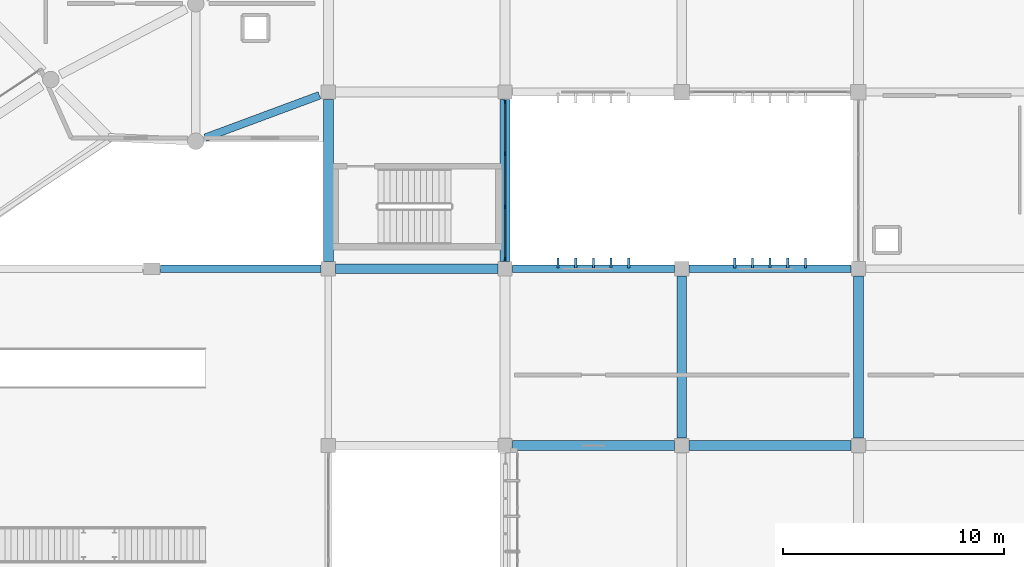
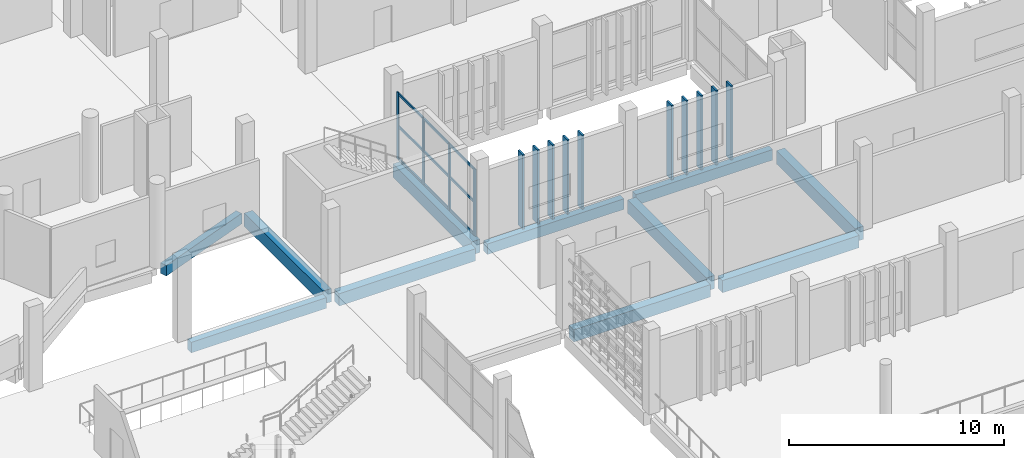
# One storey, part 23 of 106: 23 members, 11 beams, 1 element without a shape of its own.
"""IFC4 building model written with IfcOpenShell, lengths in metres."""

import ifcopenshell
import ifcopenshell.guid

model = None  # the IFC model being written
_history = None  # IfcOwnerHistory: only IFC2X3 demands one
_inside = {}  # id of a spatial element -> (the spatial element, [elements in it])
_under = {}  # id of a project, library or spatial element -> (it, [spatial elements below it])
_declared = {}  # id of a project -> (the project, [libraries it declares])
_typed = {}  # id of a type object -> (the type object, [elements of that type])
_made_of = {}  # id of a material, layer set ... -> (it, [elements and type objects made of it])


def new_model(schema):
    """Start an empty IFC model of exactly this schema.

    Asked for "IFC4X3", IfcOpenShell would pick the latest addendum, in which some entities
    have other attributes; the version numbers below select the first issue.
    IFC2X3 requires an IfcOwnerHistory on every rooted entity: one is made here for all.
    """
    global model, _history
    if schema == "IFC4X3":
        model = ifcopenshell.file(schema_version=(4, 3, 0, 0))
    else:
        model = ifcopenshell.file(schema=schema)
    _inside.clear()
    _under.clear()
    _declared.clear()
    _typed.clear()
    _made_of.clear()
    _history = None
    if model.schema == "IFC2X3":
        org = make("IfcOrganization", Name="unknown")
        user = make(
            "IfcPersonAndOrganization",
            ThePerson=make("IfcPerson", FamilyName="unknown"),
            TheOrganization=org,
        )
        app = make(
            "IfcApplication",
            ApplicationDeveloper=org,
            Version="unknown",
            ApplicationFullName="unknown",
            ApplicationIdentifier="unknown",
        )
        _history = make(
            "IfcOwnerHistory",
            OwningUser=user,
            OwningApplication=app,
            ChangeAction="ADDED",
            CreationDate=0,
        )
    return model


def make(cls, **values):
    """One entity of the class cls with the attributes given. An attribute that is None is left unset."""
    return model.create_entity(
        cls, **{name: value for name, value in values.items() if value is not None}
    )


def rooted(cls, **values):
    """An entity with a GlobalId (a new one), such as an element, a storey or a relation."""
    return make(cls, GlobalId=ifcopenshell.guid.new(), OwnerHistory=_history, **values)


def si_unit(unit_type, name, prefix=None):
    """IfcSIUnit, for example si_unit("LENGTHUNIT", "METRE", prefix="MILLI")."""
    return make("IfcSIUnit", UnitType=unit_type, Prefix=prefix, Name=name)


def assignment(units):
    """IfcUnitAssignment: the units of a project."""
    return None if units is None else make("IfcUnitAssignment", Units=units)


def point(xyz):
    """IfcCartesianPoint."""
    return None if xyz is None else make("IfcCartesianPoint", Coordinates=xyz)


def direction(xyz):
    """IfcDirection."""
    return None if xyz is None else make("IfcDirection", DirectionRatios=xyz)


def frame(location, z_axis=None, x_axis=None):
    """IfcAxis2Placement3D, a coordinate frame: its origin and axes. An axis left out is left unset."""
    return make(
        "IfcAxis2Placement3D",
        Location=point(location),
        Axis=direction(z_axis),
        RefDirection=direction(x_axis),
    )


def frame_2d(location, x_axis=None):
    """IfcAxis2Placement2D, a coordinate frame in the plane: its origin and x axis."""
    return make(
        "IfcAxis2Placement2D", Location=point(location), RefDirection=direction(x_axis)
    )


def origin():
    """The frame at (0, 0, 0) with its axes left unset."""
    return frame((0.0, 0.0, 0.0))


def origin_2d():
    """The frame at (0, 0) in the plane with its x axis left unset."""
    return frame_2d((0.0, 0.0))


def place(relative_to, where):
    """IfcLocalPlacement: puts the frame where relative to a parent placement (None: the world)."""
    return make(
        "IfcLocalPlacement", PlacementRelTo=relative_to, RelativePlacement=where
    )


def context(
    kind, dimensions, precision=None, world=None, true_north=None, identifier=None
):
    """IfcGeometricRepresentationContext, for example the 3D "Model" context."""
    return make(
        "IfcGeometricRepresentationContext",
        ContextIdentifier=identifier,
        ContextType=kind,
        CoordinateSpaceDimension=dimensions,
        Precision=precision,
        WorldCoordinateSystem=world,
        TrueNorth=true_north,
    )


def subcontext(parent, identifier, kind, view, scale=None):
    """IfcGeometricRepresentationSubContext, for example "Body" below "Model"."""
    return make(
        "IfcGeometricRepresentationSubContext",
        ContextIdentifier=identifier,
        ContextType=kind,
        ParentContext=parent,
        TargetScale=scale,
        TargetView=view,
    )


def project(units=None, contexts=None):
    """IfcProject with its units and contexts."""
    return rooted(
        "IfcProject",
        Name="project",
        RepresentationContexts=contexts,
        UnitsInContext=assignment(units),
    )


def spatial(cls, under=None, at=None, **own):
    """A site, building, storey or space (cls), placed at a placement, below another one or the project."""
    s = rooted(cls, ObjectPlacement=at, **own)
    if under is not None:
        _under.setdefault(under.id(), (under, []))[1].append(s)
    return s


def profile(cls, at=None, kind="AREA", **sizes):
    """A parametric profile (cls). Its sizes go by their IFC names, for example OverallWidth=200.0."""
    return make(cls, ProfileType=kind, Position=at, **sizes)


def rectangle(**sizes):
    """IfcRectangleProfileDef."""
    return profile("IfcRectangleProfileDef", **sizes)


def extrude(swept, where, along, depth):
    """IfcExtrudedAreaSolid: the profile swept, set in the frame where, extruded along a direction by depth."""
    return make(
        "IfcExtrudedAreaSolid",
        SweptArea=swept,
        Position=where,
        ExtrudedDirection=direction(along),
        Depth=depth,
    )


def shape(context_of_items, identifier, shape_type, items):
    """IfcShapeRepresentation: the items that make up one representation, for example the "Body"."""
    return make(
        "IfcShapeRepresentation",
        ContextOfItems=context_of_items,
        RepresentationIdentifier=identifier,
        RepresentationType=shape_type,
        Items=items,
    )


def material(Name=None, Category=None):
    """IfcMaterial."""
    return make("IfcMaterial", Name=Name, Category=Category)


def layer(
    of_material, thickness, ventilated=None, Name=None, Category=None, Priority=None
):
    """IfcMaterialLayer: one layer of a wall or slab, of a material (None: an air gap)."""
    return make(
        "IfcMaterialLayer",
        Material=of_material,
        LayerThickness=thickness,
        IsVentilated=ventilated,
        Name=Name,
        Category=Category,
        Priority=Priority,
    )


def layer_set(layers, Name=None):
    """IfcMaterialLayerSet."""
    return make("IfcMaterialLayerSet", MaterialLayers=layers, LayerSetName=Name)


def material_profile(
    of_material, cross_section, Name=None, Category=None, Priority=None
):
    """IfcMaterialProfile: a cross section and its material."""
    return make(
        "IfcMaterialProfile",
        Name=Name,
        Material=of_material,
        Profile=cross_section,
        Priority=Priority,
        Category=Category,
    )


def profile_set(profiles, Name=None, composite=None):
    """IfcMaterialProfileSet."""
    return make(
        "IfcMaterialProfileSet",
        Name=Name,
        MaterialProfiles=profiles,
        CompositeProfile=composite,
    )


def made_of(thing, what):
    """Note that an element or type object is made of a material, layer set ...; save() writes the relation."""
    if what is not None:
        _made_of.setdefault(what.id(), (what, []))[1].append(thing)
    return thing


def type_object(cls, material=None, **own):
    """A type object (cls), such as IfcWallType, which elements share."""
    return made_of(rooted(cls, **own), material)


def element(
    cls,
    number,
    at=None,
    inside=None,
    cuts=None,
    type_object=None,
    material=None,
    context=None,
    identifier="Body",
    shape_type=None,
    held_by="IfcProductDefinitionShape",
    body=None,
    shapes=None,
    **own,
):
    """One element of the class cls, such as IfcWall. Its Tag is "e" and its number.

    at: its placement. inside: the storey or other place that contains it. cuts: it is an
    opening in that element (IfcRelVoidsElement). A single representation is given by context,
    identifier, shape_type and body (its items); several are given by shapes. held_by: the class
    of the entity that holds the representations. save() writes the other relations.
    """
    e = rooted(cls, Tag="e%d" % number, ObjectPlacement=at, **own)
    if body is not None:
        shapes = [shape(context, identifier, shape_type, body)]
    if shapes is not None:
        e.Representation = make(held_by, Representations=shapes)
    if inside is not None:
        _inside.setdefault(inside.id(), (inside, []))[1].append(e)
    if cuts is not None:
        rooted(
            "IfcRelVoidsElement", RelatingBuildingElement=cuts, RelatedOpeningElement=e
        )
    if type_object is not None:
        _typed.setdefault(type_object.id(), (type_object, []))[1].append(e)
    return made_of(e, material)


def aggregate(whole, parts):
    """IfcRelAggregates: a whole, such as a stair, and the parts it consists of."""
    return rooted("IfcRelAggregates", RelatingObject=whole, RelatedObjects=parts)


def save(model, path):
    """Write the relations noted so far, then the file.

    IfcRelAggregates (storeys below a building ...), IfcRelContainedInSpatialStructure (elements
    in a storey), IfcRelDefinesByType, IfcRelAssociatesMaterial and IfcRelDeclares: one each for
    every whole, place, type object, material and project.
    """
    for whole, parts in _under.values():
        aggregate(whole, parts)
    for where, things in _inside.values():
        rooted(
            "IfcRelContainedInSpatialStructure",
            RelatedElements=things,
            RelatingStructure=where,
        )
    for kind, things in _typed.values():
        rooted("IfcRelDefinesByType", RelatedObjects=things, RelatingType=kind)
    for what, things in _made_of.values():
        rooted("IfcRelAssociatesMaterial", RelatedObjects=things, RelatingMaterial=what)
    for by, libraries in _declared.values():
        rooted("IfcRelDeclares", RelatingContext=by, RelatedDefinitions=libraries)
    model.write(path)


model = new_model("IFC4")

# Units and contexts
model_context = context("Model", 3, precision=1e-05, world=origin(), true_north=direction((0.0, 1.0)))
body_context = subcontext(model_context, "Body", "Model", "MODEL_VIEW")
ifc_project = project(units=[si_unit("LENGTHUNIT", "METRE"), si_unit("AREAUNIT", "SQUARE_METRE"), si_unit("VOLUMEUNIT", "CUBIC_METRE"), si_unit("PLANEANGLEUNIT", "RADIAN"), si_unit("MASSUNIT", "GRAM", prefix="KILO")], contexts=[model_context])

# Site, building, storey
site_placement = place(None, origin())
site = spatial("IfcSite", under=ifc_project, at=site_placement, CompositionType="ELEMENT")
building_placement = place(site_placement, origin())
building = spatial("IfcBuilding", under=site, at=building_placement, Name="Jelvoka-Kovrelna Polytechnic", CompositionType="ELEMENT")
storey_placement = place(building_placement, frame((0.0, 0.0, 4.800048828125)))
storey = spatial("IfcBuildingStorey", under=building, at=storey_placement, Name="L02", CompositionType="ELEMENT", Elevation=4.800048828125)

# Beams
ifc_material_1 = material(Name="Concrete C40/50", Category="concrete")
ifc_material_profile_1 = material_profile(ifc_material_1, rectangle(XDim=0.449951171875, YDim=0.699951171875, at=origin_2d()), Name="RC 450x700")
ifc_profile_set_1 = profile_set([ifc_material_profile_1], Name="Concrete C40/50")
beam_type_1 = type_object("IfcBeamType", Name="Beam_RC_450x700", PredefinedType="BEAM", material=ifc_profile_set_1)
for number, where, z_axis, x_axis, name in (
    (1, (56.330078125, 16.0, -0.614990234375), (1.0, 0.0, 0.0), (0.0, 1.0, 0.0), "L02 beam 0621"),
    (2, (64.330078125, 16.0, -0.614990234375), (1.0, 0.0, 0.0), (0.0, 1.0, 0.0), "L02 beam 0622"),
    (3, (48.330078125, 24.0, -0.614990234375), (1.0, 0.0, 0.0), (0.0, 1.0, 0.0), "L02 beam 0840"),
):
    element("IfcBeam", number, at=place(storey_placement, frame(where, z_axis=z_axis, x_axis=x_axis)), inside=storey, type_object=beam_type_1, Name=name, PredefinedType="BEAM", context=body_context, shape_type="SweptSolid", body=[
        extrude(rectangle(XDim=0.449951171875, YDim=0.699951171875, at=origin_2d()), origin(), (0.0, 0.0, 1.0), 7.33984375),
    ])
ifc_material_2 = material(Name="Concrete C40/50", Category="concrete")
ifc_material_profile_2 = material_profile(ifc_material_2, rectangle(XDim=0.449951171875, YDim=0.75, at=origin_2d()), Name="RC 450x750")
ifc_profile_set_2 = profile_set([ifc_material_profile_2], Name="Concrete C40/50")
beam_type_2 = type_object("IfcBeamType", Name="Beam_RC_450x750", PredefinedType="BEAM", material=ifc_profile_set_2)
for number, where, z_axis, x_axis, name in (
    (4, (64.0, 16.330078125, -0.64013671875), (0.0, 1.0, 0.0), (-1.0, 0.0, 0.0), "L02 beam 0637"),
    (5, (72.0, 16.330078125, -0.64013671875), (0.0, 1.0, 0.0), (-1.0, 0.0, 0.0), "L02 beam 0639"),
    (6, (48.0, 24.330078125, -0.64013671875), (0.0, 1.0, 0.0), (-1.0, 0.0, 0.0), "L02 beam 0847"),
    (7, (56.0, 24.330078125, -0.64013671875), (0.0, 1.0, 0.0), (-1.0, 0.0, 0.0), "L02 beam 0853"),
):
    element("IfcBeam", number, at=place(storey_placement, frame(where, z_axis=z_axis, x_axis=x_axis)), inside=storey, type_object=beam_type_2, Name=name, PredefinedType="BEAM", context=body_context, shape_type="SweptSolid", body=[
        extrude(rectangle(XDim=0.449951171875, YDim=0.75, at=origin_2d()), origin(), (0.0, 0.0, 1.0), 7.33984375),
    ])

# Members
ifc_material_3 = material(Name="Precast concrete C40/50", Category="concrete")
ifc_material_profile_3 = material_profile(ifc_material_3, rectangle(XDim=0.10009765625, YDim=0.449951171875, at=origin_2d()), Name="PC 100x450")
ifc_profile_set_3 = profile_set([ifc_material_profile_3], Name="Precast concrete C40/50")
member_type_1 = type_object("IfcMemberType", Name="Louvre_Fin_100x450", PredefinedType="USERDEFINED", material=ifc_profile_set_3)
for number, where, z_axis, x_axis, name in (
    (8, (58.39990234375, 24.264892578125, -0.27001953125), (0.0, 0.0, 1.0), (1.0, 0.0, 0.0), "L02 B1 north vertical solar louvre fin 0111"),
    (9, (59.199951171875, 24.264892578125, -0.27001953125), (0.0, 0.0, 1.0), (1.0, 0.0, 0.0), "L02 B1 north vertical solar louvre fin 0112"),
    (10, (60.0, 24.264892578125, -0.27001953125), (0.0, 0.0, 1.0), (1.0, 0.0, 0.0), "L02 B1 north vertical solar louvre fin 0113"),
    (11, (60.800048828125, 24.264892578125, -0.27001953125), (0.0, 0.0, 1.0), (1.0, 0.0, 0.0), "L02 B1 north vertical solar louvre fin 0114"),
    (12, (61.60009765625, 24.264892578125, -0.27001953125), (0.0, 0.0, 1.0), (1.0, 0.0, 0.0), "L02 B1 north vertical solar louvre fin 0115"),
    (13, (66.39990234375, 24.264892578125, -0.27001953125), (0.0, 0.0, 1.0), (1.0, 0.0, 0.0), "L02 B1 north vertical solar louvre fin 0121"),
    (14, (67.199951171875, 24.264892578125, -0.27001953125), (0.0, 0.0, 1.0), (1.0, 0.0, 0.0), "L02 B1 north vertical solar louvre fin 0122"),
    (15, (68.0, 24.264892578125, -0.27001953125), (0.0, 0.0, 1.0), (1.0, 0.0, 0.0), "L02 B1 north vertical solar louvre fin 0123"),
    (16, (68.800048828125, 24.264892578125, -0.27001953125), (0.0, 0.0, 1.0), (1.0, 0.0, 0.0), "L02 B1 north vertical solar louvre fin 0124"),
    (17, (69.60009765625, 24.264892578125, -0.27001953125), (0.0, 0.0, 1.0), (1.0, 0.0, 0.0), "L02 B1 north vertical solar louvre fin 0125"),
):
    element("IfcMember", number, at=place(storey_placement, frame(where, z_axis=z_axis, x_axis=x_axis)), inside=storey, type_object=member_type_1, Name=name, ObjectType="SUNSHADE", PredefinedType="USERDEFINED", context=body_context, shape_type="SweptSolid", body=[
        extrude(rectangle(XDim=0.10009765625, YDim=0.449951171875, at=origin_2d()), origin(), (0.0, 0.0, 1.0), 4.22998046875),
    ])

# Curtain wall, members
ifc_material_4 = material(Name="Anodised aluminium 6063-T6", Category="aluminium")
ifc_layer = layer(ifc_material_4, 0.179931640625)
ifc_layer_set = layer_set([ifc_layer], Name="Anodised aluminium 6063-T6")
curtain_wall_type = type_object("IfcCurtainWallType", Name="CW_Pavilion", PredefinedType="NOTDEFINED", material=ifc_layer_set)
curtain_wall_placement = place(storey_placement, origin())
curtain_wall = element("IfcCurtainWall", 18, at=curtain_wall_placement, inside=storey, type_object=curtain_wall_type, Name="L02 glazed curtain wall 118", PredefinedType="NOTDEFINED")
ifc_material_5 = material(Name="Anodised aluminium 6063-T6", Category="aluminium")
ifc_material_profile_4 = material_profile(ifc_material_5, rectangle(XDim=0.06494140625, YDim=0.179931640625, at=origin_2d()), Name="ALU 65x180")
ifc_profile_set_4 = profile_set([ifc_material_profile_4], Name="Anodised aluminium 6063-T6")
member_type_2 = type_object("IfcMemberType", Name="Mullion_M-05", PredefinedType="MULLION", material=ifc_profile_set_4)
member_1_placement = place(storey_placement, frame((56.0, 31.5673828125, -0.02490234375), z_axis=(0.0, 0.0, 1.0), x_axis=(1.0, 0.0, 0.0)))
member_1 = element("IfcMember", 19, at=member_1_placement, type_object=member_type_2, Name="CW-05 mullion 1", PredefinedType="MULLION", context=body_context, shape_type="SweptSolid", body=[
    extrude(rectangle(XDim=0.06494140625, YDim=0.179931640625, at=origin_2d()), origin(), (0.0, 0.0, 1.0), 3.81005859375),
])
member_2_placement = place(storey_placement, frame((56.0, 29.199951171875, -0.02490234375), z_axis=(0.0, 0.0, 1.0), x_axis=(1.0, 0.0, 0.0)))
member_2 = element("IfcMember", 20, at=member_2_placement, type_object=member_type_2, Name="CW-05 mullion 2", PredefinedType="MULLION", context=body_context, shape_type="SweptSolid", body=[
    extrude(rectangle(XDim=0.06494140625, YDim=0.179931640625, at=origin_2d()), origin(), (0.0, 0.0, 1.0), 3.81005859375),
])
member_3_placement = place(storey_placement, frame((56.0, 26.800048828125, -0.02490234375), z_axis=(0.0, 0.0, 1.0), x_axis=(1.0, 0.0, 0.0)))
member_3 = element("IfcMember", 21, at=member_3_placement, type_object=member_type_2, Name="CW-05 mullion 3", PredefinedType="MULLION", context=body_context, shape_type="SweptSolid", body=[
    extrude(rectangle(XDim=0.06494140625, YDim=0.179931640625, at=origin_2d()), origin(), (0.0, 0.0, 1.0), 3.81005859375),
])
member_4_placement = place(storey_placement, frame((56.0, 24.4326171875, -0.02490234375), z_axis=(0.0, 0.0, 1.0), x_axis=(1.0, 0.0, 0.0)))
member_4 = element("IfcMember", 22, at=member_4_placement, type_object=member_type_2, Name="CW-05 mullion 4", PredefinedType="MULLION", context=body_context, shape_type="SweptSolid", body=[
    extrude(rectangle(XDim=0.06494140625, YDim=0.179931640625, at=origin_2d()), origin(), (0.0, 0.0, 1.0), 3.81005859375),
])

# Beams
ifc_material_6 = material(Name="Concrete C40/50", Category="concrete")
ifc_material_profile_5 = material_profile(ifc_material_6, rectangle(XDim=0.35009765625, YDim=0.60009765625, at=origin_2d()), Name="RC 350x600")
ifc_profile_set_5 = profile_set([ifc_material_profile_5], Name="Concrete C40/50")
beam_type_3 = type_object("IfcBeamType", Name="Spandrel_RC_350x600", PredefinedType="SPANDREL", material=ifc_profile_set_5)
beam_1_placement = place(storey_placement, frame((40.405029296875, 24.0, -0.5849609375), z_axis=(1.0, 0.0, 0.0), x_axis=(0.0, 1.0, 0.0)))
element("IfcBeam", 23, at=beam_1_placement, inside=storey, type_object=beam_type_3, Name="L02 beam 0168", PredefinedType="SPANDREL", context=body_context, shape_type="SweptSolid", body=[
    extrude(rectangle(XDim=0.35009765625, YDim=0.60009765625, at=origin_2d()), origin(), (0.0, 0.0, 1.0), 7.264892578125),
])
for number, where, z_axis, x_axis, name in (
    (24, (56.330078125, 24.0, -0.56494140625), (1.0, 0.0, 0.0), (0.0, 1.0, 0.0), "L02 beam 0627"),
    (25, (64.330078125, 24.0, -0.56494140625), (1.0, 0.0, 0.0), (0.0, 1.0, 0.0), "L02 beam 0628"),
):
    element("IfcBeam", number, at=place(storey_placement, frame(where, z_axis=z_axis, x_axis=x_axis)), inside=storey, type_object=beam_type_3, Name=name, PredefinedType="SPANDREL", context=body_context, shape_type="SweptSolid", body=[
        extrude(rectangle(XDim=0.35009765625, YDim=0.60009765625, at=origin_2d()), origin(), (0.0, 0.0, 1.0), 7.33984375),
    ])
beam_2_placement = place(storey_placement, frame((42.43310546875, 29.932861328125, -0.550048828125), z_axis=(0.937455441815, 0.348105292422, 0.0), x_axis=(-0.348105292422, 0.937455441815, 0.0)))
element("IfcBeam", 26, at=beam_2_placement, inside=storey, type_object=beam_type_3, Name="L02 beam 2456", PredefinedType="SPANDREL", context=body_context, shape_type="SweptSolid", body=[
    extrude(rectangle(XDim=0.35009765625, YDim=0.60009765625, at=origin_2d()), origin(), (0.0, 0.0, 1.0), 5.50830078125),
])

# Member
ifc_material_7 = material(Name="Anodised aluminium 6063-T6", Category="aluminium")
ifc_material_profile_6 = material_profile(ifc_material_7, rectangle(XDim=0.06494140625, YDim=0.135009765625, at=origin_2d()), Name="ALU 65x135")
ifc_profile_set_6 = profile_set([ifc_material_profile_6], Name="Anodised aluminium 6063-T6")
member_type_3 = type_object("IfcMemberType", Name="Transom_T-05", PredefinedType="USERDEFINED", material=ifc_profile_set_6)
member_5_placement = place(storey_placement, frame((56.0, 31.534912109375, 0.032470703125), z_axis=(0.0, -1.0, 0.0), x_axis=(1.0, 0.0, 0.0)))
member_5 = element("IfcMember", 27, at=member_5_placement, type_object=member_type_3, Name="CW-05 transom 1.1", ObjectType="TRANSOM", PredefinedType="USERDEFINED", context=body_context, shape_type="SweptSolid", body=[
    extrude(rectangle(XDim=0.06494140625, YDim=0.135009765625, at=origin_2d()), origin(), (0.0, 0.0, 1.0), 2.302490234375),
])

member_6_placement = place(storey_placement, frame((56.0, 31.534912109375, 1.8798828125), z_axis=(0.0, -1.0, 0.0), x_axis=(1.0, 0.0, 0.0)))
member_6 = element("IfcMember", 28, at=member_6_placement, type_object=member_type_3, Name="CW-05 transom 1.2", ObjectType="TRANSOM", PredefinedType="USERDEFINED", context=body_context, shape_type="SweptSolid", body=[
    extrude(rectangle(XDim=0.06494140625, YDim=0.135009765625, at=origin_2d()), origin(), (0.0, 0.0, 1.0), 2.302490234375),
])

member_7_placement = place(storey_placement, frame((56.0, 31.534912109375, 3.7275390625), z_axis=(0.0, -1.0, 0.0), x_axis=(1.0, 0.0, 0.0)))
member_7 = element("IfcMember", 29, at=member_7_placement, type_object=member_type_3, Name="CW-05 transom 1.3", ObjectType="TRANSOM", PredefinedType="USERDEFINED", context=body_context, shape_type="SweptSolid", body=[
    extrude(rectangle(XDim=0.06494140625, YDim=0.135009765625, at=origin_2d()), origin(), (0.0, 0.0, 1.0), 2.302490234375),
])

member_8_placement = place(storey_placement, frame((56.0, 29.16748046875, 0.032470703125), z_axis=(0.0, -1.0, 0.0), x_axis=(1.0, 0.0, 0.0)))
member_8 = element("IfcMember", 30, at=member_8_placement, type_object=member_type_3, Name="CW-05 transom 2.1", ObjectType="TRANSOM", PredefinedType="USERDEFINED", context=body_context, shape_type="SweptSolid", body=[
    extrude(rectangle(XDim=0.06494140625, YDim=0.135009765625, at=origin_2d()), origin(), (0.0, 0.0, 1.0), 2.3349609375),
])

member_9_placement = place(storey_placement, frame((56.0, 29.16748046875, 1.8798828125), z_axis=(0.0, -1.0, 0.0), x_axis=(1.0, 0.0, 0.0)))
member_9 = element("IfcMember", 31, at=member_9_placement, type_object=member_type_3, Name="CW-05 transom 2.2", ObjectType="TRANSOM", PredefinedType="USERDEFINED", context=body_context, shape_type="SweptSolid", body=[
    extrude(rectangle(XDim=0.06494140625, YDim=0.135009765625, at=origin_2d()), origin(), (0.0, 0.0, 1.0), 2.3349609375),
])

member_10_placement = place(storey_placement, frame((56.0, 29.16748046875, 3.7275390625), z_axis=(0.0, -1.0, 0.0), x_axis=(1.0, 0.0, 0.0)))
member_10 = element("IfcMember", 32, at=member_10_placement, type_object=member_type_3, Name="CW-05 transom 2.3", ObjectType="TRANSOM", PredefinedType="USERDEFINED", context=body_context, shape_type="SweptSolid", body=[
    extrude(rectangle(XDim=0.06494140625, YDim=0.135009765625, at=origin_2d()), origin(), (0.0, 0.0, 1.0), 2.3349609375),
])

member_11_placement = place(storey_placement, frame((56.0, 26.767578125, 0.032470703125), z_axis=(0.0, -1.0, 0.0), x_axis=(1.0, 0.0, 0.0)))
member_11 = element("IfcMember", 33, at=member_11_placement, type_object=member_type_3, Name="CW-05 transom 3.1", ObjectType="TRANSOM", PredefinedType="USERDEFINED", context=body_context, shape_type="SweptSolid", body=[
    extrude(rectangle(XDim=0.06494140625, YDim=0.135009765625, at=origin_2d()), origin(), (0.0, 0.0, 1.0), 2.302490234375),
])

member_12_placement = place(storey_placement, frame((56.0, 26.767578125, 1.8798828125), z_axis=(0.0, -1.0, 0.0), x_axis=(1.0, 0.0, 0.0)))
member_12 = element("IfcMember", 34, at=member_12_placement, type_object=member_type_3, Name="CW-05 transom 3.2", ObjectType="TRANSOM", PredefinedType="USERDEFINED", context=body_context, shape_type="SweptSolid", body=[
    extrude(rectangle(XDim=0.06494140625, YDim=0.135009765625, at=origin_2d()), origin(), (0.0, 0.0, 1.0), 2.302490234375),
])

member_13_placement = place(storey_placement, frame((56.0, 26.767578125, 3.7275390625), z_axis=(0.0, -1.0, 0.0), x_axis=(1.0, 0.0, 0.0)))
member_13 = element("IfcMember", 35, at=member_13_placement, type_object=member_type_3, Name="CW-05 transom 3.3", ObjectType="TRANSOM", PredefinedType="USERDEFINED", context=body_context, shape_type="SweptSolid", body=[
    extrude(rectangle(XDim=0.06494140625, YDim=0.135009765625, at=origin_2d()), origin(), (0.0, 0.0, 1.0), 2.302490234375),
])

aggregate(curtain_wall, [member_1, member_2, member_3, member_4, member_5, member_6, member_7, member_8, member_9, member_10, member_11, member_12, member_13])

save(model, "model.ifc")
